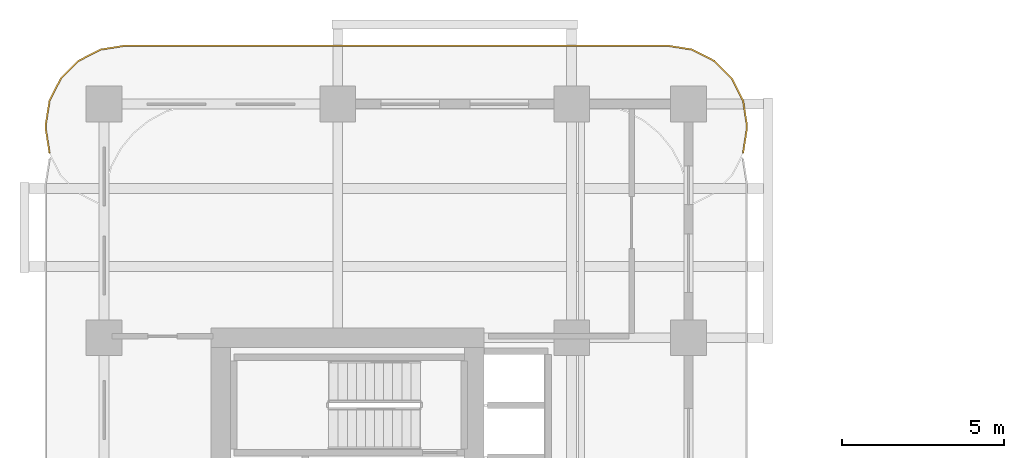
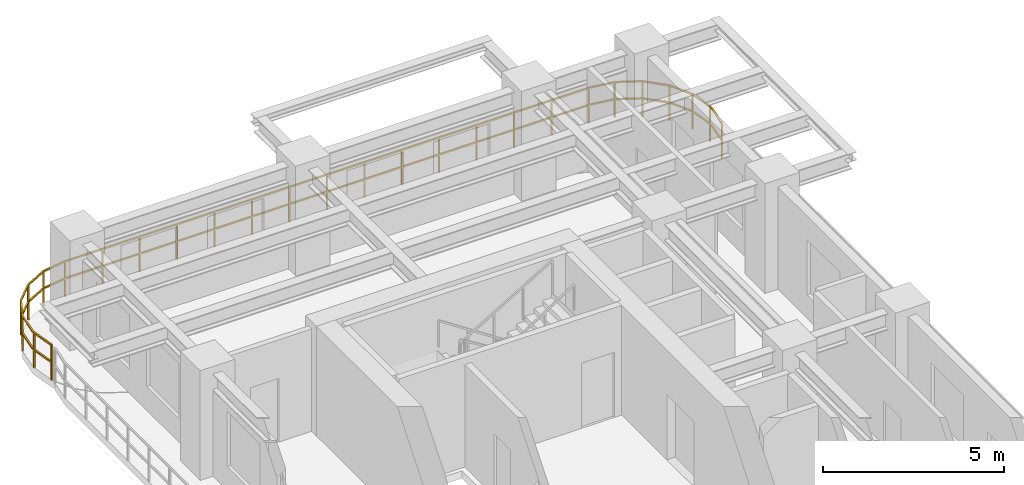
# One storey, part 18 of 18: 1 railing.
"""IFC4 building model written with IfcOpenShell, lengths in metres."""

import ifcopenshell
import ifcopenshell.guid

model = None  # the IFC model being written
_history = None  # IfcOwnerHistory: only IFC2X3 demands one
_inside = {}  # id of a spatial element -> (the spatial element, [elements in it])
_under = {}  # id of a project, library or spatial element -> (it, [spatial elements below it])
_declared = {}  # id of a project -> (the project, [libraries it declares])
_typed = {}  # id of a type object -> (the type object, [elements of that type])
_made_of = {}  # id of a material, layer set ... -> (it, [elements and type objects made of it])


def new_model(schema):
    """Start an empty IFC model of exactly this schema.

    Asked for "IFC4X3", IfcOpenShell would pick the latest addendum, in which some entities
    have other attributes; the version numbers below select the first issue.
    IFC2X3 requires an IfcOwnerHistory on every rooted entity: one is made here for all.
    """
    global model, _history
    if schema == "IFC4X3":
        model = ifcopenshell.file(schema_version=(4, 3, 0, 0))
    else:
        model = ifcopenshell.file(schema=schema)
    _inside.clear()
    _under.clear()
    _declared.clear()
    _typed.clear()
    _made_of.clear()
    _history = None
    if model.schema == "IFC2X3":
        org = make("IfcOrganization", Name="unknown")
        user = make(
            "IfcPersonAndOrganization",
            ThePerson=make("IfcPerson", FamilyName="unknown"),
            TheOrganization=org,
        )
        app = make(
            "IfcApplication",
            ApplicationDeveloper=org,
            Version="unknown",
            ApplicationFullName="unknown",
            ApplicationIdentifier="unknown",
        )
        _history = make(
            "IfcOwnerHistory",
            OwningUser=user,
            OwningApplication=app,
            ChangeAction="ADDED",
            CreationDate=0,
        )
    return model


def make(cls, **values):
    """One entity of the class cls with the attributes given. An attribute that is None is left unset."""
    return model.create_entity(
        cls, **{name: value for name, value in values.items() if value is not None}
    )


def rooted(cls, **values):
    """An entity with a GlobalId (a new one), such as an element, a storey or a relation."""
    return make(cls, GlobalId=ifcopenshell.guid.new(), OwnerHistory=_history, **values)


def si_unit(unit_type, name, prefix=None):
    """IfcSIUnit, for example si_unit("LENGTHUNIT", "METRE", prefix="MILLI")."""
    return make("IfcSIUnit", UnitType=unit_type, Prefix=prefix, Name=name)


def derived_unit(unit_type, elements):
    """IfcDerivedUnit: a product of units, each with its exponent."""
    return make(
        "IfcDerivedUnit",
        Elements=[
            make("IfcDerivedUnitElement", Unit=unit, Exponent=power)
            for unit, power in elements
        ],
        UnitType=unit_type,
    )


def assignment(units):
    """IfcUnitAssignment: the units of a project."""
    return None if units is None else make("IfcUnitAssignment", Units=units)


def point(xyz):
    """IfcCartesianPoint."""
    return None if xyz is None else make("IfcCartesianPoint", Coordinates=xyz)


def direction(xyz):
    """IfcDirection."""
    return None if xyz is None else make("IfcDirection", DirectionRatios=xyz)


def frame(location, z_axis=None, x_axis=None):
    """IfcAxis2Placement3D, a coordinate frame: its origin and axes. An axis left out is left unset."""
    return make(
        "IfcAxis2Placement3D",
        Location=point(location),
        Axis=direction(z_axis),
        RefDirection=direction(x_axis),
    )


def frame_2d(location, x_axis=None):
    """IfcAxis2Placement2D, a coordinate frame in the plane: its origin and x axis."""
    return make(
        "IfcAxis2Placement2D", Location=point(location), RefDirection=direction(x_axis)
    )


def origin():
    """The frame at (0, 0, 0) with its axes left unset."""
    return frame((0.0, 0.0, 0.0))


def origin_2d():
    """The frame at (0, 0) in the plane with its x axis left unset."""
    return frame_2d((0.0, 0.0))


def place(relative_to, where):
    """IfcLocalPlacement: puts the frame where relative to a parent placement (None: the world)."""
    return make(
        "IfcLocalPlacement", PlacementRelTo=relative_to, RelativePlacement=where
    )


def context(
    kind, dimensions, precision=None, world=None, true_north=None, identifier=None
):
    """IfcGeometricRepresentationContext, for example the 3D "Model" context."""
    return make(
        "IfcGeometricRepresentationContext",
        ContextIdentifier=identifier,
        ContextType=kind,
        CoordinateSpaceDimension=dimensions,
        Precision=precision,
        WorldCoordinateSystem=world,
        TrueNorth=true_north,
    )


def subcontext(parent, identifier, kind, view, scale=None):
    """IfcGeometricRepresentationSubContext, for example "Body" below "Model"."""
    return make(
        "IfcGeometricRepresentationSubContext",
        ContextIdentifier=identifier,
        ContextType=kind,
        ParentContext=parent,
        TargetScale=scale,
        TargetView=view,
    )


def project(units=None, contexts=None):
    """IfcProject with its units and contexts."""
    return rooted(
        "IfcProject",
        Name="project",
        RepresentationContexts=contexts,
        UnitsInContext=assignment(units),
    )


def spatial(cls, under=None, at=None, **own):
    """A site, building, storey or space (cls), placed at a placement, below another one or the project."""
    s = rooted(cls, ObjectPlacement=at, **own)
    if under is not None:
        _under.setdefault(under.id(), (under, []))[1].append(s)
    return s


def profile(cls, at=None, kind="AREA", **sizes):
    """A parametric profile (cls). Its sizes go by their IFC names, for example OverallWidth=200.0."""
    return make(cls, ProfileType=kind, Position=at, **sizes)


def rectangle(**sizes):
    """IfcRectangleProfileDef."""
    return profile("IfcRectangleProfileDef", **sizes)


def extrude(swept, where, along, depth):
    """IfcExtrudedAreaSolid: the profile swept, set in the frame where, extruded along a direction by depth."""
    return make(
        "IfcExtrudedAreaSolid",
        SweptArea=swept,
        Position=where,
        ExtrudedDirection=direction(along),
        Depth=depth,
    )


def shape(context_of_items, identifier, shape_type, items):
    """IfcShapeRepresentation: the items that make up one representation, for example the "Body"."""
    return make(
        "IfcShapeRepresentation",
        ContextOfItems=context_of_items,
        RepresentationIdentifier=identifier,
        RepresentationType=shape_type,
        Items=items,
    )


def material(Name=None, Category=None):
    """IfcMaterial."""
    return make("IfcMaterial", Name=Name, Category=Category)


def made_of(thing, what):
    """Note that an element or type object is made of a material, layer set ...; save() writes the relation."""
    if what is not None:
        _made_of.setdefault(what.id(), (what, []))[1].append(thing)
    return thing


def type_object(cls, material=None, **own):
    """A type object (cls), such as IfcWallType, which elements share."""
    return made_of(rooted(cls, **own), material)


def element(
    cls,
    number,
    at=None,
    inside=None,
    cuts=None,
    type_object=None,
    material=None,
    context=None,
    identifier="Body",
    shape_type=None,
    held_by="IfcProductDefinitionShape",
    body=None,
    shapes=None,
    **own,
):
    """One element of the class cls, such as IfcWall. Its Tag is "e" and its number.

    at: its placement. inside: the storey or other place that contains it. cuts: it is an
    opening in that element (IfcRelVoidsElement). A single representation is given by context,
    identifier, shape_type and body (its items); several are given by shapes. held_by: the class
    of the entity that holds the representations. save() writes the other relations.
    """
    e = rooted(cls, Tag="e%d" % number, ObjectPlacement=at, **own)
    if body is not None:
        shapes = [shape(context, identifier, shape_type, body)]
    if shapes is not None:
        e.Representation = make(held_by, Representations=shapes)
    if inside is not None:
        _inside.setdefault(inside.id(), (inside, []))[1].append(e)
    if cuts is not None:
        rooted(
            "IfcRelVoidsElement", RelatingBuildingElement=cuts, RelatedOpeningElement=e
        )
    if type_object is not None:
        _typed.setdefault(type_object.id(), (type_object, []))[1].append(e)
    return made_of(e, material)


def aggregate(whole, parts):
    """IfcRelAggregates: a whole, such as a stair, and the parts it consists of."""
    return rooted("IfcRelAggregates", RelatingObject=whole, RelatedObjects=parts)


def save(model, path):
    """Write the relations noted so far, then the file.

    IfcRelAggregates (storeys below a building ...), IfcRelContainedInSpatialStructure (elements
    in a storey), IfcRelDefinesByType, IfcRelAssociatesMaterial and IfcRelDeclares: one each for
    every whole, place, type object, material and project.
    """
    for whole, parts in _under.values():
        aggregate(whole, parts)
    for where, things in _inside.values():
        rooted(
            "IfcRelContainedInSpatialStructure",
            RelatedElements=things,
            RelatingStructure=where,
        )
    for kind, things in _typed.values():
        rooted("IfcRelDefinesByType", RelatedObjects=things, RelatingType=kind)
    for what, things in _made_of.values():
        rooted("IfcRelAssociatesMaterial", RelatedObjects=things, RelatingMaterial=what)
    for by, libraries in _declared.values():
        rooted("IfcRelDeclares", RelatingContext=by, RelatedDefinitions=libraries)
    model.write(path)


model = new_model("IFC4")

# Units and contexts
model_context = context("Model", 3, precision=1e-05, world=origin(), true_north=direction((0.0, 1.0)))
body_context = subcontext(model_context, "Body", "Model", "MODEL_VIEW")
ifc_project = project(units=[si_unit("LENGTHUNIT", "METRE"), si_unit("AREAUNIT", "SQUARE_METRE"), si_unit("VOLUMEUNIT", "CUBIC_METRE"), si_unit("PLANEANGLEUNIT", "RADIAN"), si_unit("MASSUNIT", "GRAM", prefix="KILO"), si_unit("THERMODYNAMICTEMPERATUREUNIT", "KELVIN"), si_unit("POWERUNIT", "WATT"), derived_unit("THERMALTRANSMITTANCEUNIT", [(si_unit("POWERUNIT", "WATT"), 1), (si_unit("AREAUNIT", "SQUARE_METRE"), -1), (si_unit("THERMODYNAMICTEMPERATUREUNIT", "KELVIN"), -1)])], contexts=[model_context])

# Site, building, storey
site_placement = place(None, origin())
site = spatial("IfcSite", under=ifc_project, at=site_placement, CompositionType="ELEMENT")
building_placement = place(site_placement, origin())
building = spatial("IfcBuilding", under=site, at=building_placement, Name="Zahravan Archway Hotel and Residences", CompositionType="ELEMENT")
storey_placement = place(building_placement, frame((0.0, 0.0, 58.300048828125)))
storey = spatial("IfcBuildingStorey", under=building, at=storey_placement, Name="L13", CompositionType="ELEMENT", Elevation=58.300048828125)

# Railing
ifc_material = material(Name="Bronze & Laminated Glass Balustrade", Category="glass")
railing_type = type_object("IfcRailingType", Name="RL-BAL-1200", PredefinedType="BALUSTRADE", material=ifc_material)
railing_placement = place(storey_placement, frame((-1.68017578125, 45.29296875, 0.0)))
element("IfcRailing", 1, at=railing_placement, inside=storey, type_object=railing_type, Name="L13 Balustrade RL-SLB-BAL-L13-NB-1", PredefinedType="BALUSTRADE", context=body_context, shape_type="SweptSolid", body=[
    extrude(rectangle(XDim=0.048095703125, YDim=0.048095703125, at=origin_2d()), frame((0.0, 0.0, 1.17578125), z_axis=(-0.156387811283, 0.987695728695, 0.0), x_axis=(-0.987695728695, -0.156387811283, 0.0)), (0.0, 0.0, 1.0), 0.7666015625),
    extrude(rectangle(XDim=0.048095703125, YDim=0.048095703125, at=origin_2d()), frame((0.0, 0.0, 0.60009765625), z_axis=(-0.156387811283, 0.987695728695, 0.0), x_axis=(-0.987695728695, -0.156387811283, 0.0)), (0.0, 0.0, 1.0), 0.7666015625),
    extrude(rectangle(XDim=0.048095703125, YDim=0.048095703125, at=origin_2d()), frame((-0.119873046875, 0.757080078125, 1.17578125), z_axis=(0.0, 1.0, 0.0), x_axis=(-1.0, 0.0, 0.0)), (0.0, 0.0, 1.0), 0.099853515625),
    extrude(rectangle(XDim=0.048095703125, YDim=0.048095703125, at=origin_2d()), frame((-0.119873046875, 0.757080078125, 0.60009765625), z_axis=(0.0, 1.0, 0.0), x_axis=(-1.0, 0.0, 0.0)), (0.0, 0.0, 1.0), 0.099853515625),
    extrude(rectangle(XDim=0.048095703125, YDim=0.048095703125, at=origin_2d()), frame((-0.119873046875, 0.85693359375, 1.17578125), z_axis=(0.156387811283, 0.987695728695, 0.0), x_axis=(-0.987695728695, 0.156387811283, 0.0)), (0.0, 0.0, 1.0), 0.7666015625),
    extrude(rectangle(XDim=0.048095703125, YDim=0.048095703125, at=origin_2d()), frame((-0.119873046875, 0.85693359375, 0.60009765625), z_axis=(0.156387811283, 0.987695728695, 0.0), x_axis=(-0.987695728695, 0.156387811283, 0.0)), (0.0, 0.0, 1.0), 0.7666015625),
    extrude(rectangle(XDim=0.048095703125, YDim=0.048095703125, at=origin_2d()), frame((0.0, 1.614013671875, 1.17578125), z_axis=(0.454078418624, 0.890961721815, 0.0), x_axis=(-0.890961721815, 0.454078418624, 0.0)), (0.0, 0.0, 1.0), 0.7666015625),
    extrude(rectangle(XDim=0.048095703125, YDim=0.048095703125, at=origin_2d()), frame((0.0, 1.614013671875, 0.60009765625), z_axis=(0.454078418624, 0.890961721815, 0.0), x_axis=(-0.890961721815, 0.454078418624, 0.0)), (0.0, 0.0, 1.0), 0.7666015625),
    extrude(rectangle(XDim=0.048095703125, YDim=0.048095703125, at=origin_2d()), frame((0.34814453125, 2.297119140625, 1.17578125), z_axis=(0.707106781187, 0.707106781187, 0.0), x_axis=(-0.707106781187, 0.707106781187, 0.0)), (0.0, 0.0, 1.0), 0.7666015625),
    extrude(rectangle(XDim=0.048095703125, YDim=0.048095703125, at=origin_2d()), frame((0.34814453125, 2.297119140625, 0.60009765625), z_axis=(0.707106781187, 0.707106781187, 0.0), x_axis=(-0.707106781187, 0.707106781187, 0.0)), (0.0, 0.0, 1.0), 0.7666015625),
    extrude(rectangle(XDim=0.048095703125, YDim=0.048095703125, at=origin_2d()), frame((0.89013671875, 2.839111328125, 1.17578125), z_axis=(0.891024909783, 0.453954414172, 0.0), x_axis=(-0.453954414172, 0.891024909783, 0.0)), (0.0, 0.0, 1.0), 0.766357421875),
    extrude(rectangle(XDim=0.048095703125, YDim=0.048095703125, at=origin_2d()), frame((0.89013671875, 2.839111328125, 0.60009765625), z_axis=(0.891024909783, 0.453954414172, 0.0), x_axis=(-0.453954414172, 0.891024909783, 0.0)), (0.0, 0.0, 1.0), 0.766357421875),
    extrude(rectangle(XDim=0.048095703125, YDim=0.048095703125, at=origin_2d()), frame((1.572998046875, 3.18701171875, 1.17578125), z_axis=(0.987646484274, 0.156698507018, 0.0), x_axis=(-0.156698507018, 0.987646484274, 0.0)), (0.0, 0.0, 1.0), 0.7666015625),
    extrude(rectangle(XDim=0.048095703125, YDim=0.048095703125, at=origin_2d()), frame((1.572998046875, 3.18701171875, 0.60009765625), z_axis=(0.987646484274, 0.156698507018, 0.0), x_axis=(-0.156698507018, 0.987646484274, 0.0)), (0.0, 0.0, 1.0), 0.7666015625),
    extrude(rectangle(XDim=0.048095703125, YDim=0.048095703125, at=origin_2d()), frame((2.330078125, 3.30712890625, 1.17578125), z_axis=(1.0, 0.0, 0.0), x_axis=(0.0, 1.0, 0.0)), (0.0, 0.0, 1.0), 16.7001953125),
    extrude(rectangle(XDim=0.048095703125, YDim=0.048095703125, at=origin_2d()), frame((2.330078125, 3.30712890625, 0.60009765625), z_axis=(1.0, 0.0, 0.0), x_axis=(0.0, 1.0, 0.0)), (0.0, 0.0, 1.0), 16.7001953125),
    extrude(rectangle(XDim=0.048095703125, YDim=0.048095703125, at=origin_2d()), frame((19.0302734375, 3.30712890625, 1.17578125), z_axis=(0.987646484274, -0.156698507018, 0.0), x_axis=(0.156698507018, 0.987646484274, 0.0)), (0.0, 0.0, 1.0), 0.7666015625),
    extrude(rectangle(XDim=0.048095703125, YDim=0.048095703125, at=origin_2d()), frame((19.0302734375, 3.30712890625, 0.60009765625), z_axis=(0.987646484274, -0.156698507018, 0.0), x_axis=(0.156698507018, 0.987646484274, 0.0)), (0.0, 0.0, 1.0), 0.7666015625),
    extrude(rectangle(XDim=0.048095703125, YDim=0.048095703125, at=origin_2d()), frame((19.787353515625, 3.18701171875, 1.17578125), z_axis=(0.891024909783, -0.453954414172, 0.0), x_axis=(0.453954414172, 0.891024909783, 0.0)), (0.0, 0.0, 1.0), 0.766357421875),
    extrude(rectangle(XDim=0.048095703125, YDim=0.048095703125, at=origin_2d()), frame((19.787353515625, 3.18701171875, 0.60009765625), z_axis=(0.891024909783, -0.453954414172, 0.0), x_axis=(0.453954414172, 0.891024909783, 0.0)), (0.0, 0.0, 1.0), 0.766357421875),
    extrude(rectangle(XDim=0.048095703125, YDim=0.048095703125, at=origin_2d()), frame((20.47021484375, 2.839111328125, 1.17578125), z_axis=(0.707106781187, -0.707106781187, 0.0), x_axis=(0.707106781187, 0.707106781187, 0.0)), (0.0, 0.0, 1.0), 0.7666015625),
    extrude(rectangle(XDim=0.048095703125, YDim=0.048095703125, at=origin_2d()), frame((20.47021484375, 2.839111328125, 0.60009765625), z_axis=(0.707106781187, -0.707106781187, 0.0), x_axis=(0.707106781187, 0.707106781187, 0.0)), (0.0, 0.0, 1.0), 0.7666015625),
    extrude(rectangle(XDim=0.048095703125, YDim=0.048095703125, at=origin_2d()), frame((21.01220703125, 2.297119140625, 1.17578125), z_axis=(0.454078418624, -0.890961721815, 0.0), x_axis=(0.890961721815, 0.454078418624, 0.0)), (0.0, 0.0, 1.0), 0.7666015625),
    extrude(rectangle(XDim=0.048095703125, YDim=0.048095703125, at=origin_2d()), frame((21.01220703125, 2.297119140625, 0.60009765625), z_axis=(0.454078418624, -0.890961721815, 0.0), x_axis=(0.890961721815, 0.454078418624, 0.0)), (0.0, 0.0, 1.0), 0.7666015625),
    extrude(rectangle(XDim=0.048095703125, YDim=0.048095703125, at=origin_2d()), frame((21.3603515625, 1.614013671875, 1.17578125), z_axis=(0.156387811283, -0.987695728695, 0.0), x_axis=(0.987695728695, 0.156387811283, 0.0)), (0.0, 0.0, 1.0), 0.7666015625),
    extrude(rectangle(XDim=0.048095703125, YDim=0.048095703125, at=origin_2d()), frame((21.3603515625, 1.614013671875, 0.60009765625), z_axis=(0.156387811283, -0.987695728695, 0.0), x_axis=(0.987695728695, 0.156387811283, 0.0)), (0.0, 0.0, 1.0), 0.7666015625),
    extrude(rectangle(XDim=0.048095703125, YDim=0.048095703125, at=origin_2d()), frame((21.480224609375, 0.85693359375, 1.17578125), z_axis=(0.0, -1.0, 0.0), x_axis=(1.0, 0.0, 0.0)), (0.0, 0.0, 1.0), 0.099853515625),
    extrude(rectangle(XDim=0.048095703125, YDim=0.048095703125, at=origin_2d()), frame((21.480224609375, 0.85693359375, 0.60009765625), z_axis=(0.0, -1.0, 0.0), x_axis=(1.0, 0.0, 0.0)), (0.0, 0.0, 1.0), 0.099853515625),
    extrude(rectangle(XDim=0.048095703125, YDim=0.048095703125, at=origin_2d()), frame((21.480224609375, 0.757080078125, 1.17578125), z_axis=(-0.156387811283, -0.987695728695, 0.0), x_axis=(0.987695728695, -0.156387811283, 0.0)), (0.0, 0.0, 1.0), 0.7666015625),
    extrude(rectangle(XDim=0.048095703125, YDim=0.048095703125, at=origin_2d()), frame((21.480224609375, 0.757080078125, 0.60009765625), z_axis=(-0.156387811283, -0.987695728695, 0.0), x_axis=(0.987695728695, -0.156387811283, 0.0)), (0.0, 0.0, 1.0), 0.7666015625),
    extrude(rectangle(XDim=0.0419921875, YDim=0.0419921875, at=origin_2d()), origin(), (0.0, 0.0, 1.0), 1.15185546875),
    extrude(rectangle(XDim=0.0419921875, YDim=0.0419921875, at=origin_2d()), frame((-0.119873046875, 0.757080078125, 0.0)), (0.0, 0.0, 1.0), 1.15185546875),
    extrude(rectangle(XDim=0.0419921875, YDim=0.0419921875, at=origin_2d()), frame((0.0, 1.614013671875, 0.0)), (0.0, 0.0, 1.0), 1.15185546875),
    extrude(rectangle(XDim=0.0419921875, YDim=0.0419921875, at=origin_2d()), frame((0.34814453125, 2.297119140625, 0.0)), (0.0, 0.0, 1.0), 1.15185546875),
    extrude(rectangle(XDim=0.0419921875, YDim=0.0419921875, at=origin_2d()), frame((0.89013671875, 2.839111328125, 0.0)), (0.0, 0.0, 1.0), 1.15185546875),
    extrude(rectangle(XDim=0.0419921875, YDim=0.0419921875, at=origin_2d()), frame((1.572998046875, 3.18701171875, 0.0)), (0.0, 0.0, 1.0), 1.15185546875),
    extrude(rectangle(XDim=0.0419921875, YDim=0.0419921875, at=origin_2d()), frame((2.330078125, 3.30712890625, 0.0)), (0.0, 0.0, 1.0), 1.15185546875),
    extrude(rectangle(XDim=0.0419921875, YDim=0.0419921875, at=origin_2d()), frame((3.52294921875, 3.30712890625, 0.0)), (0.0, 0.0, 1.0), 1.15185546875),
    extrude(rectangle(XDim=0.0419921875, YDim=0.0419921875, at=origin_2d()), frame((4.7158203125, 3.30712890625, 0.0)), (0.0, 0.0, 1.0), 1.15185546875),
    extrude(rectangle(XDim=0.0419921875, YDim=0.0419921875, at=origin_2d()), frame((5.90869140625, 3.30712890625, 0.0)), (0.0, 0.0, 1.0), 1.15185546875),
    extrude(rectangle(XDim=0.0419921875, YDim=0.0419921875, at=origin_2d()), frame((7.1015625, 3.30712890625, 0.0)), (0.0, 0.0, 1.0), 1.15185546875),
    extrude(rectangle(XDim=0.0419921875, YDim=0.0419921875, at=origin_2d()), frame((8.29443359375, 3.30712890625, 0.0)), (0.0, 0.0, 1.0), 1.15185546875),
    extrude(rectangle(XDim=0.0419921875, YDim=0.0419921875, at=origin_2d()), frame((9.4873046875, 3.30712890625, 0.0)), (0.0, 0.0, 1.0), 1.15185546875),
    extrude(rectangle(XDim=0.0419921875, YDim=0.0419921875, at=origin_2d()), frame((10.68017578125, 3.30712890625, 0.0)), (0.0, 0.0, 1.0), 1.15185546875),
    extrude(rectangle(XDim=0.0419921875, YDim=0.0419921875, at=origin_2d()), frame((11.873046875, 3.30712890625, 0.0)), (0.0, 0.0, 1.0), 1.15185546875),
    extrude(rectangle(XDim=0.0419921875, YDim=0.0419921875, at=origin_2d()), frame((13.06591796875, 3.30712890625, 0.0)), (0.0, 0.0, 1.0), 1.15185546875),
    extrude(rectangle(XDim=0.0419921875, YDim=0.0419921875, at=origin_2d()), frame((14.2587890625, 3.30712890625, 0.0)), (0.0, 0.0, 1.0), 1.15185546875),
    extrude(rectangle(XDim=0.0419921875, YDim=0.0419921875, at=origin_2d()), frame((15.45166015625, 3.30712890625, 0.0)), (0.0, 0.0, 1.0), 1.15185546875),
    extrude(rectangle(XDim=0.0419921875, YDim=0.0419921875, at=origin_2d()), frame((16.64453125, 3.30712890625, 0.0)), (0.0, 0.0, 1.0), 1.15185546875),
    extrude(rectangle(XDim=0.0419921875, YDim=0.0419921875, at=origin_2d()), frame((17.83740234375, 3.30712890625, 0.0)), (0.0, 0.0, 1.0), 1.15185546875),
    extrude(rectangle(XDim=0.0419921875, YDim=0.0419921875, at=origin_2d()), frame((19.0302734375, 3.30712890625, 0.0)), (0.0, 0.0, 1.0), 1.15185546875),
    extrude(rectangle(XDim=0.0419921875, YDim=0.0419921875, at=origin_2d()), frame((19.787353515625, 3.18701171875, 0.0)), (0.0, 0.0, 1.0), 1.15185546875),
    extrude(rectangle(XDim=0.0419921875, YDim=0.0419921875, at=origin_2d()), frame((20.47021484375, 2.839111328125, 0.0)), (0.0, 0.0, 1.0), 1.15185546875),
    extrude(rectangle(XDim=0.0419921875, YDim=0.0419921875, at=origin_2d()), frame((21.01220703125, 2.297119140625, 0.0)), (0.0, 0.0, 1.0), 1.15185546875),
    extrude(rectangle(XDim=0.0419921875, YDim=0.0419921875, at=origin_2d()), frame((21.3603515625, 1.614013671875, 0.0)), (0.0, 0.0, 1.0), 1.15185546875),
    extrude(rectangle(XDim=0.0419921875, YDim=0.0419921875, at=origin_2d()), frame((21.480224609375, 0.85693359375, 0.0)), (0.0, 0.0, 1.0), 1.15185546875),
    extrude(rectangle(XDim=0.0419921875, YDim=0.0419921875, at=origin_2d()), frame((21.3603515625, 0.0, 0.0)), (0.0, 0.0, 1.0), 1.15185546875),
])

save(model, "model.ifc")
